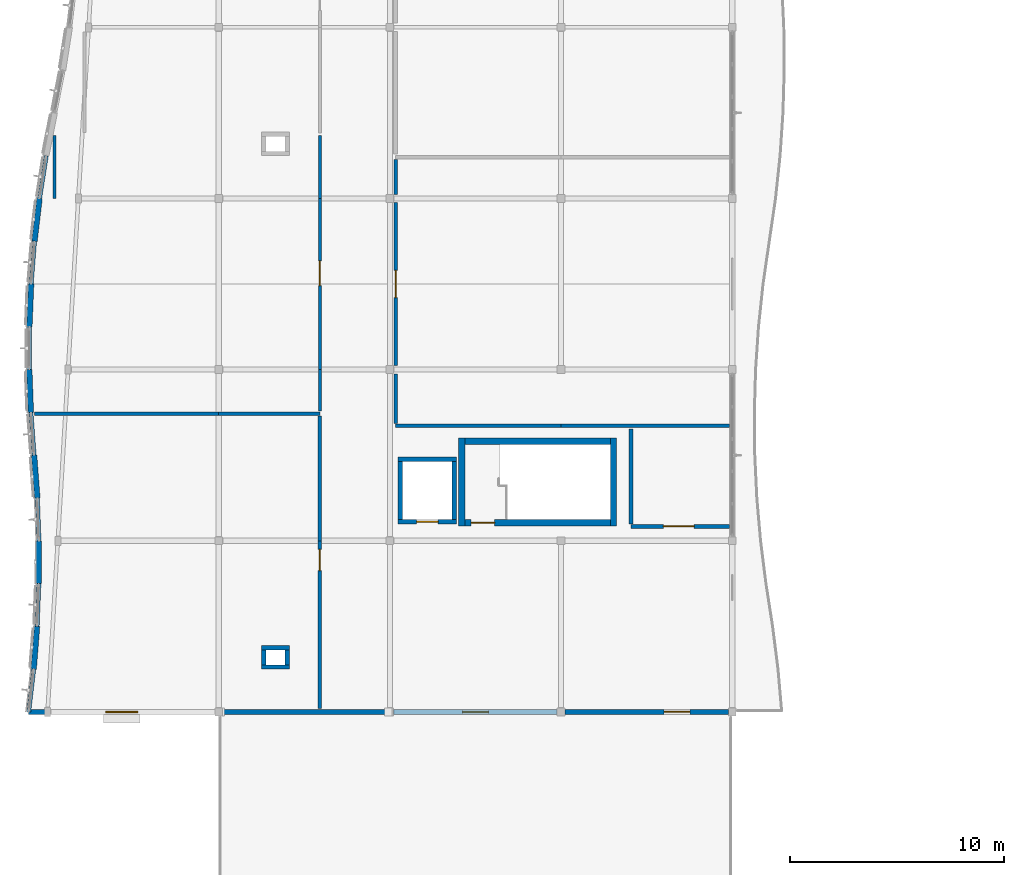
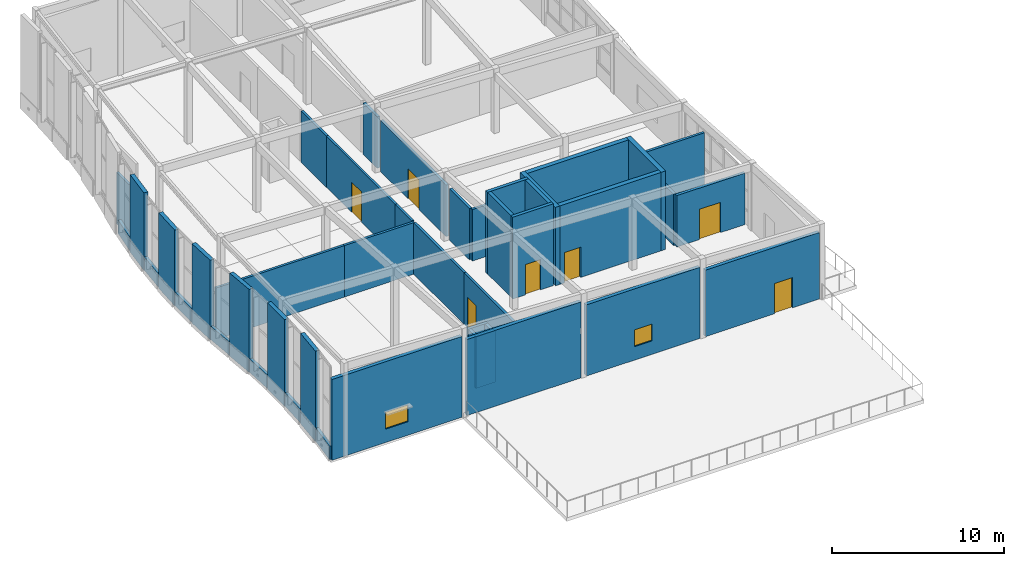
# One storey, part 28 of 52: 44 walls, 7 doors, 2 windows, 9 openings.
"""IFC4 building model written with IfcOpenShell, lengths in metres."""

from ifc_helpers import new_model, si_unit, direction, frame, frame_2d, origin, place, context, subcontext, project, spatial, rectangle, extrude, material, layer, layer_set, type_object, element, fill, save


model = new_model("IFC4")

# Units and contexts
model_context = context("Model", 3, precision=1e-05, world=origin(), true_north=direction((0.0, 1.0)))
body_context = subcontext(model_context, "Body", "Model", "MODEL_VIEW")
ifc_project = project(units=[si_unit("LENGTHUNIT", "METRE"), si_unit("AREAUNIT", "SQUARE_METRE"), si_unit("VOLUMEUNIT", "CUBIC_METRE"), si_unit("PLANEANGLEUNIT", "RADIAN"), si_unit("MASSUNIT", "GRAM", prefix="KILO")], contexts=[model_context])

# Site, building, storey
site_placement = place(None, origin())
site = spatial("IfcSite", under=ifc_project, at=site_placement, CompositionType="ELEMENT")
building_placement = place(site_placement, origin())
building = spatial("IfcBuilding", under=site, at=building_placement, Name="Tonlespit Floodbar School", CompositionType="ELEMENT")
storey_placement = place(building_placement, frame((0.0, 0.0, 12.300048828125)))
storey = spatial("IfcBuildingStorey", under=building, at=storey_placement, Name="L03", CompositionType="ELEMENT", Elevation=12.300048828125)

# Walls
ifc_material_1 = material(Name="Concrete C40/50", Category="concrete")
ifc_layer_1 = layer(ifc_material_1, 0.300048828125)
ifc_layer_set_1 = layer_set([ifc_layer_1], Name="Concrete C40/50")
wall_type_1 = type_object("IfcWallType", Name="CoreWall_RC_300", PredefinedType="SHEAR", material=ifc_layer_set_1)
for number, where, z_axis, x_axis, name in (
    (1, (23.35009765625, 64.699951171875, 0.0), (0.0, 0.0, 1.0), (0.0, 1.0, 0.0), "L03 core C3 shear wall NEAR"),
    (2, (30.449951171875, 68.800048828125, 0.0), (0.0, 0.0, 1.0), (0.0, -1.0, 0.0), "L03 core C3 shear wall FAR"),
):
    element("IfcWall", number, at=place(storey_placement, frame(where, z_axis=z_axis, x_axis=x_axis)), inside=storey, type_object=wall_type_1, Name=name, PredefinedType="SHEAR", context=body_context, shape_type="SweptSolid", body=[
        extrude(rectangle(XDim=4.10009765625, YDim=0.300048828125, at=frame_2d((2.050048828125, 0.0))), origin(), (0.0, 0.0, 1.0), 5.56494140625),
    ])

# Wall, opening, door
wall_1_placement = place(storey_placement, frame((23.5, 64.85009765625, 0.0), z_axis=(0.0, 0.0, 1.0), x_axis=(1.0, 0.0, 0.0)))
wall_1 = element("IfcWall", 3, at=wall_1_placement, inside=storey, type_object=wall_type_1, Name="L03 core C3 shear wall LEFT", PredefinedType="SHEAR", context=body_context, shape_type="SweptSolid", body=[
    extrude(rectangle(XDim=6.800048828125, YDim=0.300048828125, at=frame_2d((3.39990234375, 0.0))), origin(), (0.0, 0.0, 1.0), 5.56494140625),
])
opening_1_placement = place(wall_1_placement, frame((0.300048828125, 0.0, 0.0)))
opening_1 = element("IfcOpeningElement", 4, at=opening_1_placement, cuts=wall_1, Name="Opening FD1-C3-L03", PredefinedType="OPENING", context=body_context, shape_type="SweptSolid", body=[
    extrude(rectangle(XDim=1.10009765625, YDim=2.14990234375, at=frame_2d((0.550048828125, 1.074951171875))), frame((0.0, 0.159912109375, 0.0), z_axis=(0.0, -1.0, 0.0), x_axis=(1.0, 0.0, 0.0)), (0.0, 0.0, 1.0), 0.320068359375),
])
ifc_material_2 = material(Name="Galvanised Steel", Category="steel")
door_type_1 = type_object("IfcDoorType", Name="FireDoor_Stair_1100x2150", OperationType="NOTDEFINED", PredefinedType="DOOR", material=ifc_material_2)
door_1_placement = place(opening_1_placement, origin())
door_1 = element("IfcDoor", 5, at=door_1_placement, inside=storey, type_object=door_type_1, Name="L03 stair ST-C3 fire door", OperationType="SINGLE_SWING_RIGHT", OverallHeight=2.14990234375, OverallWidth=1.10009765625, PredefinedType="DOOR", context=body_context, shape_type="SweptSolid", body=[
    extrude(rectangle(XDim=1.10009765625, YDim=2.14990234375, at=frame_2d((0.550048828125, 1.074951171875))), frame((0.0, 0.02490234375, 0.0), z_axis=(0.0, -1.0, 0.0), x_axis=(1.0, 0.0, 0.0)), (0.0, 0.0, 1.0), 0.050048828125),
])
fill(opening_1, door_1)

# Wall
wall_2_placement = place(storey_placement, frame((30.300048828125, 68.64990234375, 0.0), z_axis=(0.0, 0.0, 1.0), x_axis=(-1.0, 0.0, 0.0)))
element("IfcWall", 6, at=wall_2_placement, inside=storey, type_object=wall_type_1, Name="L03 core C3 shear wall RGHT", PredefinedType="SHEAR", context=body_context, shape_type="SweptSolid", body=[
    extrude(rectangle(XDim=6.800048828125, YDim=0.300048828125, at=frame_2d((3.39990234375, 0.0))), origin(), (0.0, 0.0, 1.0), 5.56494140625),
])

# Wall, opening, door
ifc_material_3 = material(Name="Precast concrete C40/50", Category="concrete")
ifc_layer_2 = layer(ifc_material_3, 0.239990234375)
ifc_layer_set_2 = layer_set([ifc_layer_2], Name="Precast concrete C40/50")
wall_type_2 = type_object("IfcWallType", Name="ExtWall_Rainscreen_240", PredefinedType="SOLIDWALL", material=ifc_layer_set_2)
wall_3_placement = place(storey_placement, frame((35.820068359375, 56.0, 0.0), z_axis=(0.0, 0.0, 1.0), x_axis=(-1.0, 0.0, 0.0)))
wall_3 = element("IfcWall", 7, at=wall_3_placement, inside=storey, type_object=wall_type_2, Name="L03 external wall 0450", PredefinedType="SOLIDWALL", context=body_context, shape_type="SweptSolid", body=[
    extrude(rectangle(XDim=7.64013671875, YDim=0.239990234375, at=frame_2d((3.820068359375, 0.0))), origin(), (0.0, 0.0, 1.0), 4.71240234375),
])
opening_2_placement = place(wall_3_placement, frame((1.800048828125, 0.0, 0.0)))
opening_2 = element("IfcOpeningElement", 8, at=opening_2_placement, cuts=wall_3, Name="Opening D-TR-020", PredefinedType="OPENING", context=body_context, shape_type="SweptSolid", body=[
    extrude(rectangle(XDim=1.199951171875, YDim=2.14990234375, at=frame_2d((0.60009765625, 1.074951171875))), frame((0.0, 0.1298828125, 0.0), z_axis=(0.0, -1.0, 0.0), x_axis=(1.0, 0.0, 0.0)), (0.0, 0.0, 1.0), 0.260009765625),
])
ifc_material_4 = material(Name="Anodised Aluminium", Category="aluminium")
door_type_2 = type_object("IfcDoorType", Name="ExtDoor_Terrace_1200x2150", OperationType="NOTDEFINED", PredefinedType="DOOR", material=ifc_material_4)
door_2_placement = place(opening_2_placement, origin())
door_2 = element("IfcDoor", 9, at=door_2_placement, inside=storey, type_object=door_type_2, Name="L03 exterior door D-TR-020", OperationType="SINGLE_SWING_RIGHT", OverallHeight=2.14990234375, OverallWidth=1.199951171875, PredefinedType="DOOR", context=body_context, shape_type="SweptSolid", body=[
    extrude(rectangle(XDim=1.199951171875, YDim=2.14990234375, at=frame_2d((0.60009765625, 1.074951171875))), frame((0.0, 0.02490234375, 0.0), z_axis=(0.0, -1.0, 0.0), x_axis=(1.0, 0.0, 0.0)), (0.0, 0.0, 1.0), 0.050048828125),
])
fill(opening_2, door_2)

# Wall, opening, window
wall_4_placement = place(storey_placement, frame((27.820068359375, 56.0, 0.0), z_axis=(0.0, 0.0, 1.0), x_axis=(-1.0, 0.0, 0.0)))
wall_4 = element("IfcWall", 10, at=wall_4_placement, inside=storey, type_object=wall_type_2, Name="L03 external wall 0451", PredefinedType="SOLIDWALL", context=body_context, shape_type="SweptSolid", body=[
    extrude(rectangle(XDim=7.64013671875, YDim=0.239990234375, at=frame_2d((3.820068359375, 0.0))), origin(), (0.0, 0.0, 1.0), 5.0537109375),
])
opening_3_placement = place(wall_4_placement, frame((3.219970703125, 0.0, 0.949951171875)))
opening_3 = element("IfcOpeningElement", 11, at=opening_3_placement, cuts=wall_4, Name="Opening W-L03-053", PredefinedType="OPENING", context=body_context, shape_type="SweptSolid", body=[
    extrude(rectangle(XDim=1.199951171875, YDim=1.199951171875, at=frame_2d((0.60009765625, 0.60009765625))), frame((0.0, 0.1298828125, 0.0), z_axis=(0.0, -1.0, 0.0), x_axis=(1.0, 0.0, 0.0)), (0.0, 0.0, 1.0), 0.260009765625),
])
ifc_material_5 = material(Name="Tempered Double Glazing", Category="glass")
window_type_1 = type_object("IfcWindowType", Name="Win_Mod_1200x1200", PartitioningType="SINGLE_PANEL", PredefinedType="WINDOW", material=ifc_material_5)
window_1_placement = place(opening_3_placement, origin())
window_1 = element("IfcWindow", 12, at=window_1_placement, inside=storey, type_object=window_type_1, Name="L03 window W-L03-053", OverallHeight=1.199951171875, OverallWidth=1.199951171875, PartitioningType="SINGLE_PANEL", PredefinedType="WINDOW", context=body_context, shape_type="SweptSolid", body=[
    extrude(rectangle(XDim=1.199951171875, YDim=1.199951171875, at=frame_2d((0.60009765625, 0.60009765625))), frame((0.0, 0.030029296875, 0.0), z_axis=(0.0, -1.0, 0.0), x_axis=(1.0, 0.0, 0.0)), (0.0, 0.0, 1.0), 0.06005859375),
])
fill(opening_3, window_1)

# Wall
wall_5_placement = place(storey_placement, frame((19.820068359375, 56.0, 0.0), z_axis=(0.0, 0.0, 1.0), x_axis=(-1.0, 0.0, 0.0)))
element("IfcWall", 13, at=wall_5_placement, inside=storey, type_object=wall_type_2, Name="L03 external wall 0452", PredefinedType="SOLIDWALL", context=body_context, shape_type="SweptSolid", body=[
    extrude(rectangle(XDim=7.64013671875, YDim=0.239990234375, at=frame_2d((3.820068359375, 0.0))), origin(), (0.0, 0.0, 1.0), 5.394775390625),
])

# Wall, opening, window
wall_6_placement = place(storey_placement, frame((11.820068359375, 56.0, 0.0), z_axis=(0.0, 0.0, 1.0), x_axis=(-1.0, 0.0, 0.0)))
wall_6 = element("IfcWall", 14, at=wall_6_placement, inside=storey, type_object=wall_type_2, Name="L03 external wall 0453", PredefinedType="SOLIDWALL", context=body_context, shape_type="SweptSolid", body=[
    extrude(rectangle(XDim=8.705078125, YDim=0.239990234375, at=frame_2d((4.3525390625, 0.0))), origin(), (0.0, 0.0, 1.0), 5.736083984375),
])
opening_4_placement = place(wall_6_placement, frame((3.6025390625, 0.0, 0.949951171875)))
opening_4 = element("IfcOpeningElement", 15, at=opening_4_placement, cuts=wall_6, Name="Opening W-L03-054", PredefinedType="OPENING", context=body_context, shape_type="SweptSolid", body=[
    extrude(rectangle(XDim=1.5, YDim=1.199951171875, at=frame_2d((0.75, 0.60009765625))), frame((0.0, 0.1298828125, 0.0), z_axis=(0.0, -1.0, 0.0), x_axis=(1.0, 0.0, 0.0)), (0.0, 0.0, 1.0), 0.260009765625),
])
window_type_2 = type_object("IfcWindowType", Name="Win_Mod_1500x1200", PartitioningType="SINGLE_PANEL", PredefinedType="WINDOW", material=ifc_material_5)
window_2_placement = place(opening_4_placement, origin())
window_2 = element("IfcWindow", 16, at=window_2_placement, inside=storey, type_object=window_type_2, Name="L03 window W-L03-054", OverallHeight=1.199951171875, OverallWidth=1.5, PartitioningType="SINGLE_PANEL", PredefinedType="WINDOW", context=body_context, shape_type="SweptSolid", body=[
    extrude(rectangle(XDim=1.5, YDim=1.199951171875, at=frame_2d((0.75, 0.60009765625))), frame((0.0, 0.030029296875, 0.0), z_axis=(0.0, -1.0, 0.0), x_axis=(1.0, 0.0, 0.0)), (0.0, 0.0, 1.0), 0.06005859375),
])
fill(opening_4, window_2)

# Walls
ifc_layer_3 = layer(ifc_material_3, 0.260009765625)
ifc_layer_set_3 = layer_set([ifc_layer_3], Name="Precast concrete C40/50")
wall_type_3 = type_object("IfcWallType", Name="ExtWall_Rainscreen_260", PredefinedType="SOLIDWALL", material=ifc_layer_set_3)
wall_7_placement = place(storey_placement, frame((3.3505859375, 58.0, 0.0), z_axis=(0.0, 0.0, 1.0), x_axis=(0.078976178075, 0.996876503533, 0.0)))
element("IfcWall", 17, at=wall_7_placement, inside=storey, type_object=wall_type_3, Name="L03 external wall 0422", PredefinedType="SOLIDWALL", context=body_context, shape_type="SweptSolid", body=[
    extrude(rectangle(XDim=2.00634765625, YDim=0.260009765625, at=frame_2d((1.003173828125, 0.0))), origin(), (0.0, 0.0, 1.0), 6.415771484375),
])
wall_8_placement = place(storey_placement, frame((3.590576171875, 62.0, 0.0), z_axis=(0.0, 0.0, 1.0), x_axis=(0.002197260321, 0.999997586021, 0.0)))
element("IfcWall", 18, at=wall_8_placement, inside=storey, type_object=wall_type_3, Name="L03 external wall 0424", PredefinedType="SOLIDWALL", context=body_context, shape_type="SweptSolid", body=[
    extrude(rectangle(XDim=2.0, YDim=0.260009765625, at=frame_2d((1.0, 0.0))), origin(), (0.0, 0.0, 1.0), 6.1474609375),
])
wall_9_placement = place(storey_placement, frame((3.521728515625, 66.0, 0.0), z_axis=(0.0, 0.0, 1.0), x_axis=(-0.075588789742, 0.997139074987, 0.0)))
element("IfcWall", 19, at=wall_9_placement, inside=storey, type_object=wall_type_3, Name="L03 external wall 0426", PredefinedType="SOLIDWALL", context=body_context, shape_type="SweptSolid", body=[
    extrude(rectangle(XDim=2.005859375, YDim=0.260009765625, at=frame_2d((1.0029296875, 0.0))), origin(), (0.0, 0.0, 1.0), 5.892333984375),
])
wall_10_placement = place(storey_placement, frame((3.21826171875, 70.0, 0.0), z_axis=(0.0, 0.0, 1.0), x_axis=(-0.036596562065, 0.999330121454, 0.0)))
element("IfcWall", 20, at=wall_10_placement, inside=storey, type_object=wall_type_3, Name="L03 external wall 0428", PredefinedType="SOLIDWALL", context=body_context, shape_type="SweptSolid", body=[
    extrude(rectangle(XDim=2.001220703125, YDim=0.260009765625, at=frame_2d((1.00048828125, 0.0))), origin(), (0.0, 0.0, 1.0), 5.63720703125),
])
wall_11_placement = place(storey_placement, frame((3.1494140625, 74.0, 0.0), z_axis=(0.0, 0.0, 1.0), x_axis=(0.040737639062, 0.99916987783, 0.0)))
element("IfcWall", 21, at=wall_11_placement, inside=storey, type_object=wall_type_3, Name="L03 external wall 0430", PredefinedType="SOLIDWALL", context=body_context, shape_type="SweptSolid", body=[
    extrude(rectangle(XDim=2.001708984375, YDim=0.260009765625, at=frame_2d((1.0009765625, 0.0))), origin(), (0.0, 0.0, 1.0), 5.36865234375),
])
wall_12_placement = place(storey_placement, frame((3.389404296875, 78.0, 0.0), z_axis=(0.0, 0.0, 1.0), x_axis=(0.116988959085, 0.99313321536, 0.0)))
element("IfcWall", 22, at=wall_12_placement, inside=storey, type_object=wall_type_3, Name="L03 external wall 0432", PredefinedType="SOLIDWALL", context=body_context, shape_type="SweptSolid", body=[
    extrude(rectangle(XDim=2.013916015625, YDim=0.260009765625, at=frame_2d((1.0068359375, 0.0))), origin(), (0.0, 0.0, 1.0), 5.499267578125),
])
ifc_material_6 = material(Name="White Architectural Precast concrete C40/50", Category="concrete")
ifc_layer_4 = layer(ifc_material_6, 0.199951171875)
ifc_layer_set_4 = layer_set([ifc_layer_4], Name="White Architectural Precast concrete C40/50")
wall_type_4 = type_object("IfcWallType", Name="ExtWall_Spandrel_White_200", PredefinedType="SOLIDWALL", material=ifc_layer_set_4)
wall_13_placement = place(storey_placement, frame((3.114990234375, 56.0, 0.0), z_axis=(0.0, 0.0, 1.0), x_axis=(0.116988959085, 0.99313321536, 0.0)))
element("IfcWall", 23, at=wall_13_placement, inside=storey, type_object=wall_type_4, Name="L03 spandrel wall 0421", PredefinedType="SOLIDWALL", context=body_context, shape_type="SweptSolid", body=[
    extrude(rectangle(XDim=2.013916015625, YDim=0.199951171875, at=frame_2d((1.0068359375, 0.0))), origin(), (0.0, 0.0, 1.0), 0.949951171875),
])
wall_14_placement = place(storey_placement, frame((3.509033203125, 60.0, 0.0), z_axis=(0.0, 0.0, 1.0), x_axis=(0.040737639062, 0.99916987783, 0.0)))
element("IfcWall", 24, at=wall_14_placement, inside=storey, type_object=wall_type_4, Name="L03 spandrel wall 0423", PredefinedType="SOLIDWALL", context=body_context, shape_type="SweptSolid", body=[
    extrude(rectangle(XDim=2.001708984375, YDim=0.199951171875, at=frame_2d((1.0009765625, 0.0))), origin(), (0.0, 0.0, 1.0), 0.949951171875),
])
wall_15_placement = place(storey_placement, frame((3.594970703125, 64.0, 0.0), z_axis=(0.0, 0.0, 1.0), x_axis=(-0.036596562065, 0.999330121454, 0.0)))
element("IfcWall", 25, at=wall_15_placement, inside=storey, type_object=wall_type_4, Name="L03 spandrel wall 0425", PredefinedType="SOLIDWALL", context=body_context, shape_type="SweptSolid", body=[
    extrude(rectangle(XDim=2.001220703125, YDim=0.199951171875, at=frame_2d((1.00048828125, 0.0))), origin(), (0.0, 0.0, 1.0), 0.949951171875),
])
wall_16_placement = place(storey_placement, frame((3.3701171875, 68.0, 0.0), z_axis=(0.0, 0.0, 1.0), x_axis=(-0.075709813676, 0.9971298933, 0.0)))
element("IfcWall", 26, at=wall_16_placement, inside=storey, type_object=wall_type_4, Name="L03 spandrel wall 0427", PredefinedType="SOLIDWALL", context=body_context, shape_type="SweptSolid", body=[
    extrude(rectangle(XDim=2.005859375, YDim=0.199951171875, at=frame_2d((1.0029296875, 0.0))), origin(), (0.0, 0.0, 1.0), 0.949951171875),
])
wall_17_placement = place(storey_placement, frame((3.14501953125, 72.0, 0.0), z_axis=(0.0, 0.0, 1.0), x_axis=(0.002197260321, 0.999997586021, 0.0)))
element("IfcWall", 27, at=wall_17_placement, inside=storey, type_object=wall_type_4, Name="L03 spandrel wall 0429", PredefinedType="SOLIDWALL", context=body_context, shape_type="SweptSolid", body=[
    extrude(rectangle(XDim=2.0, YDim=0.199951171875, at=frame_2d((1.0, 0.0))), origin(), (0.0, 0.0, 1.0), 0.949951171875),
])
wall_18_placement = place(storey_placement, frame((3.23095703125, 76.0, 0.0), z_axis=(0.0, 0.0, 1.0), x_axis=(0.078976178075, 0.996876503533, 0.0)))
element("IfcWall", 28, at=wall_18_placement, inside=storey, type_object=wall_type_4, Name="L03 spandrel wall 0431", PredefinedType="SOLIDWALL", context=body_context, shape_type="SweptSolid", body=[
    extrude(rectangle(XDim=2.00634765625, YDim=0.199951171875, at=frame_2d((1.003173828125, 0.0))), origin(), (0.0, 0.0, 1.0), 0.949951171875),
])
wall_19_placement = place(storey_placement, frame((3.625, 80.0, 0.0), z_axis=(0.0, 0.0, 1.0), x_axis=(0.15473004848, 0.987956786554, 0.0)))
element("IfcWall", 29, at=wall_19_placement, inside=storey, type_object=wall_type_4, Name="L03 spandrel wall 0433", PredefinedType="SOLIDWALL", context=body_context, shape_type="SweptSolid", body=[
    extrude(rectangle(XDim=2.0244140625, YDim=0.199951171875, at=frame_2d((1.01220703125, 0.0))), origin(), (0.0, 0.0, 1.0), 0.949951171875),
])
ifc_material_7 = material(Name="Gypsum Plasterboard Partition")
ifc_layer_5 = layer(ifc_material_7, 0.159912109375)
ifc_layer_set_5 = layer_set([ifc_layer_5], Name="Gypsum Plasterboard Partition")
wall_type_5 = type_object("IfcWallType", Name="FireWall_Lab_160", PredefinedType="PARTITIONING", material=ifc_layer_set_5)
wall_20_placement = place(storey_placement, frame((3.392822265625, 69.929931640625, 0.0), z_axis=(0.0, 0.0, 1.0), x_axis=(1.0, 0.0, 0.0)))
element("IfcWall", 30, at=wall_20_placement, inside=storey, type_object=wall_type_5, Name="L03 partition wall 0252", PredefinedType="PARTITIONING", context=body_context, shape_type="SweptSolid", body=[
    extrude(rectangle(XDim=8.607177734375, YDim=0.159912109375, at=frame_2d((4.3037109375, 0.0))), origin(), (0.0, 0.0, 1.0), 3.64990234375),
])
wall_21_placement = place(storey_placement, frame((12.0, 69.929931640625, 0.0), z_axis=(0.0, 0.0, 1.0), x_axis=(1.0, 0.0, 0.0)))
element("IfcWall", 31, at=wall_21_placement, inside=storey, type_object=wall_type_5, Name="L03 partition wall 0253", PredefinedType="PARTITIONING", context=body_context, shape_type="SweptSolid", body=[
    extrude(rectangle(XDim=4.72998046875, YDim=0.159912109375, at=frame_2d((2.364990234375, 0.0))), origin(), (0.0, 0.0, 1.0), 3.64990234375),
])

# Wall, opening, door
wall_22_placement = place(storey_placement, frame((16.72998046875, 56.162109375, 0.0), z_axis=(0.0, 0.0, 1.0), x_axis=(0.0, 1.0, 0.0)))
wall_22 = element("IfcWall", 32, at=wall_22_placement, inside=storey, type_object=wall_type_5, Name="L03 partition wall 0254", PredefinedType="PARTITIONING", context=body_context, shape_type="SweptSolid", body=[
    extrude(rectangle(XDim=7.837890625, YDim=0.159912109375, at=frame_2d((3.9189453125, 0.0))), origin(), (0.0, 0.0, 1.0), 3.64990234375),
])
opening_5_placement = place(wall_22_placement, frame((6.43798828125, 0.0, 0.0)))
opening_5 = element("IfcOpeningElement", 33, at=opening_5_placement, cuts=wall_22, Name="Opening D-L03-074", PredefinedType="OPENING", context=body_context, shape_type="SweptSolid", body=[
    extrude(rectangle(XDim=1.0, YDim=2.14990234375, at=frame_2d((0.5, 1.074951171875))), frame((0.0, 0.08984375, 0.0), z_axis=(0.0, -1.0, 0.0), x_axis=(1.0, 0.0, 0.0)), (0.0, 0.0, 1.0), 0.179931640625),
])
ifc_material_8 = material(Name="Hardwood Timber", Category="wood")
door_type_3 = type_object("IfcDoorType", Name="FireDoor_Compartment_1000x2150", OperationType="NOTDEFINED", PredefinedType="DOOR", material=ifc_material_8)
door_3_placement = place(opening_5_placement, origin())
door_3 = element("IfcDoor", 34, at=door_3_placement, inside=storey, type_object=door_type_3, Name="L03 interior door D-L03-074", OperationType="SINGLE_SWING_LEFT", OverallHeight=2.14990234375, OverallWidth=1.0, PredefinedType="DOOR", context=body_context, shape_type="SweptSolid", body=[
    extrude(rectangle(XDim=1.0, YDim=2.14990234375, at=frame_2d((0.5, 1.074951171875))), frame((0.0, 0.02490234375, 0.0), z_axis=(0.0, -1.0, 0.0), x_axis=(1.0, 0.0, 0.0)), (0.0, 0.0, 1.0), 0.050048828125),
])
fill(opening_5, door_3)

# Walls
wall_23_placement = place(storey_placement, frame((16.72998046875, 64.0, 0.0), z_axis=(0.0, 0.0, 1.0), x_axis=(0.0, 1.0, 0.0)))
element("IfcWall", 35, at=wall_23_placement, inside=storey, type_object=wall_type_5, Name="L03 partition wall 0255", PredefinedType="PARTITIONING", context=body_context, shape_type="SweptSolid", body=[
    extrude(rectangle(XDim=5.8349609375, YDim=0.159912109375, at=frame_2d((2.91748046875, 0.0))), origin(), (0.0, 0.0, 1.0), 3.64990234375),
])
ifc_layer_6 = layer(ifc_material_1, 0.199951171875)
ifc_layer_set_6 = layer_set([ifc_layer_6], Name="Concrete C40/50")
wall_type_6 = type_object("IfcWallType", Name="FireWall_Plant_200", PredefinedType="PARTITIONING", material=ifc_layer_set_6)
for number, where, z_axis, x_axis, name in (
    (36, (15.300048828125, 58.10009765625, 0.0), (0.0, 0.0, 1.0), (-1.0, 0.0, 0.0), "L03 service riser 03 wall S"),
    (37, (14.0, 59.0, 0.0), (0.0, 0.0, 1.0), (1.0, 0.0, 0.0), "L03 service riser 03 wall N"),
):
    element("IfcWall", number, at=place(storey_placement, frame(where, z_axis=z_axis, x_axis=x_axis)), inside=storey, type_object=wall_type_6, Name=name, PredefinedType="PARTITIONING", context=body_context, shape_type="SweptSolid", body=[
        extrude(rectangle(XDim=1.300048828125, YDim=0.199951171875, at=frame_2d((0.64990234375, 0.0))), origin(), (0.0, 0.0, 1.0), 3.64990234375),
    ])
for number, where, z_axis, x_axis, name in (
    (38, (14.10009765625, 58.199951171875, 0.0), (0.0, 0.0, 1.0), (0.0, 1.0, 0.0), "L03 service riser 03 wall W"),
    (39, (15.199951171875, 58.89990234375, 0.0), (0.0, 0.0, 1.0), (0.0, -1.0, 0.0), "L03 service riser 03 wall E"),
):
    element("IfcWall", number, at=place(storey_placement, frame(where, z_axis=z_axis, x_axis=x_axis)), inside=storey, type_object=wall_type_6, Name=name, PredefinedType="PARTITIONING", context=body_context, shape_type="SweptSolid", body=[
        extrude(rectangle(XDim=0.699951171875, YDim=0.199951171875, at=frame_2d((0.35009765625, 0.0))), origin(), (0.0, 0.0, 1.0), 3.64990234375),
    ])
ifc_layer_7 = layer(ifc_material_7, 0.139892578125)
ifc_layer_set_7 = layer_set([ifc_layer_7], Name="Gypsum Plasterboard Partition")
wall_type_7 = type_object("IfcWallType", Name="Partition_Gyp_140", PredefinedType="PARTITIONING", material=ifc_layer_set_7)
wall_24_placement = place(storey_placement, frame((4.333984375, 80.0, 0.0), z_axis=(0.0, 0.0, 1.0), x_axis=(0.0, 1.0, 0.0)))
element("IfcWall", 40, at=wall_24_placement, inside=storey, type_object=wall_type_7, Name="L03 partition wall 0256", PredefinedType="PARTITIONING", context=body_context, shape_type="SweptSolid", body=[
    extrude(rectangle(XDim=2.929931640625, YDim=0.139892578125, at=frame_2d((1.46484375, 0.0))), origin(), (0.0, 0.0, 1.0), 3.64990234375),
])
wall_25_placement = place(storey_placement, frame((16.72998046875, 70.070068359375, 0.0), z_axis=(0.0, 0.0, 1.0), x_axis=(0.0, 1.0, 0.0)))
element("IfcWall", 41, at=wall_25_placement, inside=storey, type_object=wall_type_7, Name="L03 partition wall 0257", PredefinedType="PARTITIONING", context=body_context, shape_type="SweptSolid", body=[
    extrude(rectangle(XDim=1.929931640625, YDim=0.139892578125, at=frame_2d((0.96484375, 0.0))), origin(), (0.0, 0.0, 1.0), 3.64990234375),
])

# Wall, opening, door
wall_26_placement = place(storey_placement, frame((16.72998046875, 72.0, 0.0), z_axis=(0.0, 0.0, 1.0), x_axis=(0.0, 1.0, 0.0)))
wall_26 = element("IfcWall", 42, at=wall_26_placement, inside=storey, type_object=wall_type_7, Name="L03 partition wall 0258", PredefinedType="PARTITIONING", context=body_context, shape_type="SweptSolid", body=[
    extrude(rectangle(XDim=8.0, YDim=0.139892578125, at=frame_2d((4.0, 0.0))), origin(), (0.0, 0.0, 1.0), 3.64990234375),
])
opening_6_placement = place(wall_26_placement, frame((3.919921875, 0.0, 0.0)))
opening_6 = element("IfcOpeningElement", 43, at=opening_6_placement, cuts=wall_26, Name="Opening D-L03-075", PredefinedType="OPENING", context=body_context, shape_type="SweptSolid", body=[
    extrude(rectangle(XDim=1.159912109375, YDim=2.14990234375, at=frame_2d((0.580078125, 1.074951171875))), frame((0.0, 0.079833984375, 0.0), z_axis=(0.0, -1.0, 0.0), x_axis=(1.0, 0.0, 0.0)), (0.0, 0.0, 1.0), 0.159912109375),
])
door_type_4 = type_object("IfcDoorType", Name="IntDoor_1160x2150", OperationType="NOTDEFINED", PredefinedType="DOOR", material=ifc_material_8)
door_4_placement = place(opening_6_placement, origin())
door_4 = element("IfcDoor", 44, at=door_4_placement, inside=storey, type_object=door_type_4, Name="L03 interior door D-L03-075", OperationType="SINGLE_SWING_RIGHT", OverallHeight=2.14990234375, OverallWidth=1.159912109375, PredefinedType="DOOR", context=body_context, shape_type="SweptSolid", body=[
    extrude(rectangle(XDim=1.159912109375, YDim=2.14990234375, at=frame_2d((0.580078125, 1.074951171875))), frame((0.0, 0.02490234375, 0.0), z_axis=(0.0, -1.0, 0.0), x_axis=(1.0, 0.0, 0.0)), (0.0, 0.0, 1.0), 0.050048828125),
])
fill(opening_6, door_4)

# Walls
wall_27_placement = place(storey_placement, frame((16.72998046875, 80.0, 0.0), z_axis=(0.0, 0.0, 1.0), x_axis=(0.0, 1.0, 0.0)))
element("IfcWall", 45, at=wall_27_placement, inside=storey, type_object=wall_type_7, Name="L03 partition wall 0259", PredefinedType="PARTITIONING", context=body_context, shape_type="SweptSolid", body=[
    extrude(rectangle(XDim=2.929931640625, YDim=0.139892578125, at=frame_2d((1.46484375, 0.0))), origin(), (0.0, 0.0, 1.0), 3.64990234375),
])
ifc_layer_8 = layer(ifc_material_7, 0.169921875)
ifc_layer_set_8 = layer_set([ifc_layer_8], Name="Gypsum Plasterboard Partition")
wall_type_8 = type_object("IfcWallType", Name="Partition_Gyp_170", PredefinedType="PARTITIONING", material=ifc_layer_set_8)
wall_28_placement = place(storey_placement, frame((20.27001953125, 69.3701171875, 0.0), z_axis=(0.0, 0.0, 1.0), x_axis=(1.0, 0.0, 0.0)))
element("IfcWall", 46, at=wall_28_placement, inside=storey, type_object=wall_type_8, Name="L03 partition wall 0263", PredefinedType="PARTITIONING", context=body_context, shape_type="SweptSolid", body=[
    extrude(rectangle(XDim=7.72998046875, YDim=0.169921875, at=frame_2d((3.864990234375, 0.0))), origin(), (0.0, 0.0, 1.0), 3.64990234375),
])
wall_29_placement = place(storey_placement, frame((28.0, 69.3701171875, 0.0), z_axis=(0.0, 0.0, 1.0), x_axis=(1.0, 0.0, 0.0)))
element("IfcWall", 47, at=wall_29_placement, inside=storey, type_object=wall_type_8, Name="L03 partition wall 0264", PredefinedType="PARTITIONING", context=body_context, shape_type="SweptSolid", body=[
    extrude(rectangle(XDim=7.865478515625, YDim=0.169921875, at=frame_2d((3.9326171875, 0.0))), origin(), (0.0, 0.0, 1.0), 3.64990234375),
])
wall_30_placement = place(storey_placement, frame((20.27001953125, 69.469970703125, 0.0), z_axis=(0.0, 0.0, 1.0), x_axis=(0.0, 1.0, 0.0)))
element("IfcWall", 48, at=wall_30_placement, inside=storey, type_object=wall_type_8, Name="L03 partition wall 0267", PredefinedType="PARTITIONING", context=body_context, shape_type="SweptSolid", body=[
    extrude(rectangle(XDim=2.3349609375, YDim=0.169921875, at=frame_2d((1.16748046875, 0.0))), origin(), (0.0, 0.0, 1.0), 3.64990234375),
])

# Wall, opening, door
wall_31_placement = place(storey_placement, frame((20.27001953125, 72.195068359375, 0.0), z_axis=(0.0, 0.0, 1.0), x_axis=(0.0, 1.0, 0.0)))
wall_31 = element("IfcWall", 49, at=wall_31_placement, inside=storey, type_object=wall_type_8, Name="L03 partition wall 0268", PredefinedType="PARTITIONING", context=body_context, shape_type="SweptSolid", body=[
    extrude(rectangle(XDim=7.60986328125, YDim=0.169921875, at=frame_2d((3.804931640625, 0.0))), origin(), (0.0, 0.0, 1.0), 3.64990234375),
])
opening_7_placement = place(wall_31_placement, frame((3.1650390625, 0.0, 0.0)))
opening_7 = element("IfcOpeningElement", 50, at=opening_7_placement, cuts=wall_31, Name="Opening D-L03-077", PredefinedType="OPENING", context=body_context, shape_type="SweptSolid", body=[
    extrude(rectangle(XDim=1.280029296875, YDim=2.14990234375, at=frame_2d((0.64013671875, 1.074951171875))), frame((0.0, 0.094970703125, 0.0), z_axis=(0.0, -1.0, 0.0), x_axis=(1.0, 0.0, 0.0)), (0.0, 0.0, 1.0), 0.18994140625),
])
door_type_5 = type_object("IfcDoorType", Name="IntDoor_1280x2150", OperationType="NOTDEFINED", PredefinedType="DOOR", material=ifc_material_8)
door_5_placement = place(opening_7_placement, origin())
door_5 = element("IfcDoor", 51, at=door_5_placement, inside=storey, type_object=door_type_5, Name="L03 interior door D-L03-077", OperationType="SINGLE_SWING_RIGHT", OverallHeight=2.14990234375, OverallWidth=1.280029296875, PredefinedType="DOOR", context=body_context, shape_type="SweptSolid", body=[
    extrude(rectangle(XDim=1.280029296875, YDim=2.14990234375, at=frame_2d((0.64013671875, 1.074951171875))), frame((0.0, 0.02490234375, 0.0), z_axis=(0.0, -1.0, 0.0), x_axis=(1.0, 0.0, 0.0)), (0.0, 0.0, 1.0), 0.050048828125),
])
fill(opening_7, door_5)

# Wall
wall_32_placement = place(storey_placement, frame((20.27001953125, 80.195068359375, 0.0), z_axis=(0.0, 0.0, 1.0), x_axis=(0.0, 1.0, 0.0)))
element("IfcWall", 52, at=wall_32_placement, inside=storey, type_object=wall_type_8, Name="L03 partition wall 0269", PredefinedType="PARTITIONING", context=body_context, shape_type="SweptSolid", body=[
    extrude(rectangle(XDim=1.635009765625, YDim=0.169921875, at=frame_2d((0.8173828125, 0.0))), origin(), (0.0, 0.0, 1.0), 3.64990234375),
])

# Wall, opening, door
ifc_layer_9 = layer(ifc_material_7, 0.195068359375)
ifc_layer_set_9 = layer_set([ifc_layer_9], Name="Gypsum Plasterboard Partition")
wall_type_9 = type_object("IfcWallType", Name="Partition_Gyp_195", PredefinedType="PARTITIONING", material=ifc_layer_set_9)
wall_33_placement = place(storey_placement, frame((31.27001953125, 64.669921875, 0.0), z_axis=(0.0, 0.0, 1.0), x_axis=(1.0, 0.0, 0.0)))
wall_33 = element("IfcWall", 53, at=wall_33_placement, inside=storey, type_object=wall_type_9, Name="L03 partition wall 0272", PredefinedType="PARTITIONING", context=body_context, shape_type="SweptSolid", body=[
    extrude(rectangle(XDim=4.595458984375, YDim=0.195068359375, at=frame_2d((2.2978515625, 0.0))), origin(), (0.0, 0.0, 1.0), 3.64990234375),
])
opening_8_placement = place(wall_33_placement, frame((1.510009765625, 0.0, 0.0)))
opening_8 = element("IfcOpeningElement", 54, at=opening_8_placement, cuts=wall_33, Name="Opening D-L03-079", PredefinedType="OPENING", context=body_context, shape_type="SweptSolid", body=[
    extrude(rectangle(XDim=1.43994140625, YDim=2.14990234375, at=frame_2d((0.719970703125, 1.074951171875))), frame((0.0, 0.107421875, 0.0), z_axis=(0.0, -1.0, 0.0), x_axis=(1.0, 0.0, 0.0)), (0.0, 0.0, 1.0), 0.215087890625),
])
door_type_6 = type_object("IfcDoorType", Name="IntDoor_1440x2150", OperationType="NOTDEFINED", PredefinedType="DOOR", material=ifc_material_8)
door_6_placement = place(opening_8_placement, origin())
door_6 = element("IfcDoor", 55, at=door_6_placement, inside=storey, type_object=door_type_6, Name="L03 interior door D-L03-079", OperationType="SINGLE_SWING_RIGHT", OverallHeight=2.14990234375, OverallWidth=1.43994140625, PredefinedType="DOOR", context=body_context, shape_type="SweptSolid", body=[
    extrude(rectangle(XDim=1.43994140625, YDim=2.14990234375, at=frame_2d((0.719970703125, 1.074951171875))), frame((0.0, 0.02490234375, 0.0), z_axis=(0.0, -1.0, 0.0), x_axis=(1.0, 0.0, 0.0)), (0.0, 0.0, 1.0), 0.050048828125),
])
fill(opening_8, door_6)

# Wall
wall_34_placement = place(storey_placement, frame((31.27001953125, 64.782470703125, 0.0), z_axis=(0.0, 0.0, 1.0), x_axis=(0.0, 1.0, 0.0)))
element("IfcWall", 56, at=wall_34_placement, inside=storey, type_object=wall_type_9, Name="L03 partition wall 0273", PredefinedType="PARTITIONING", context=body_context, shape_type="SweptSolid", body=[
    extrude(rectangle(XDim=4.447509765625, YDim=0.195068359375, at=frame_2d((2.2236328125, 0.0))), origin(), (0.0, 0.0, 1.0), 3.64990234375),
])

# Wall, opening, door
ifc_layer_10 = layer(ifc_material_1, 0.219970703125)
ifc_layer_set_10 = layer_set([ifc_layer_10], Name="Concrete C40/50")
wall_type_10 = type_object("IfcWallType", Name="ShaftWall_RC_220", PredefinedType="SHEAR", material=ifc_layer_set_10)
wall_35_placement = place(storey_placement, frame((23.1201171875, 64.889892578125, 0.0), z_axis=(0.0, 0.0, 1.0), x_axis=(-1.0, 0.0, 0.0)))
wall_35 = element("IfcWall", 57, at=wall_35_placement, inside=storey, type_object=wall_type_10, Name="L03 lift LG-1 shaft wall S", PredefinedType="SHEAR", context=body_context, shape_type="SweptSolid", body=[
    extrude(rectangle(XDim=2.740234375, YDim=0.219970703125, at=frame_2d((1.3701171875, 0.0))), origin(), (0.0, 0.0, 1.0), 5.805908203125),
])
opening_9_placement = place(wall_35_placement, frame((0.8701171875, 0.0, 0.0)))
opening_9 = element("IfcOpeningElement", 58, at=opening_9_placement, cuts=wall_35, Name="Opening LD-LG-1-L03", PredefinedType="OPENING", context=body_context, shape_type="SweptSolid", body=[
    extrude(rectangle(XDim=1.0, YDim=2.14990234375, at=frame_2d((0.5, 1.074951171875))), frame((0.0, 0.119873046875, 0.0), z_axis=(0.0, -1.0, 0.0), x_axis=(1.0, 0.0, 0.0)), (0.0, 0.0, 1.0), 0.239990234375),
])
door_type_7 = type_object("IfcDoorType", Name="LiftDoor_Pass_1000x2150", OperationType="DOUBLE_DOOR_SLIDING", PredefinedType="DOOR", material=ifc_material_4)
door_7_placement = place(opening_9_placement, origin())
door_7 = element("IfcDoor", 59, at=door_7_placement, inside=storey, type_object=door_type_7, Name="L03 lift LG-1 sliding landing door", OperationType="DOUBLE_DOOR_SLIDING", OverallHeight=2.14990234375, OverallWidth=1.0, PredefinedType="DOOR", context=body_context, shape_type="SweptSolid", body=[
    extrude(rectangle(XDim=1.0, YDim=2.14990234375, at=frame_2d((0.5, 1.074951171875))), frame((0.0, 0.02490234375, 0.0), z_axis=(0.0, -1.0, 0.0), x_axis=(1.0, 0.0, 0.0)), (0.0, 0.0, 1.0), 0.050048828125),
])
fill(opening_9, door_7)

# Walls
wall_36_placement = place(storey_placement, frame((20.3798828125, 67.81005859375, 0.0), z_axis=(0.0, 0.0, 1.0), x_axis=(1.0, 0.0, 0.0)))
element("IfcWall", 60, at=wall_36_placement, inside=storey, type_object=wall_type_10, Name="L03 lift LG-1 shaft wall N", PredefinedType="SHEAR", context=body_context, shape_type="SweptSolid", body=[
    extrude(rectangle(XDim=2.740234375, YDim=0.219970703125, at=frame_2d((1.3701171875, 0.0))), origin(), (0.0, 0.0, 1.0), 5.805908203125),
])
for number, where, z_axis, x_axis, name in (
    (61, (20.489990234375, 65.0, 0.0), (0.0, 0.0, 1.0), (0.0, 1.0, 0.0), "L03 lift LG-1 shaft wall W"),
    (62, (23.010009765625, 67.699951171875, 0.0), (0.0, 0.0, 1.0), (0.0, -1.0, 0.0), "L03 lift LG-1 shaft wall E"),
):
    element("IfcWall", number, at=place(storey_placement, frame(where, z_axis=z_axis, x_axis=x_axis)), inside=storey, type_object=wall_type_10, Name=name, PredefinedType="SHEAR", context=body_context, shape_type="SweptSolid", body=[
        extrude(rectangle(XDim=2.699951171875, YDim=0.219970703125, at=frame_2d((1.35009765625, 0.0))), origin(), (0.0, 0.0, 1.0), 5.805908203125),
    ])

save(model, "model.ifc")
